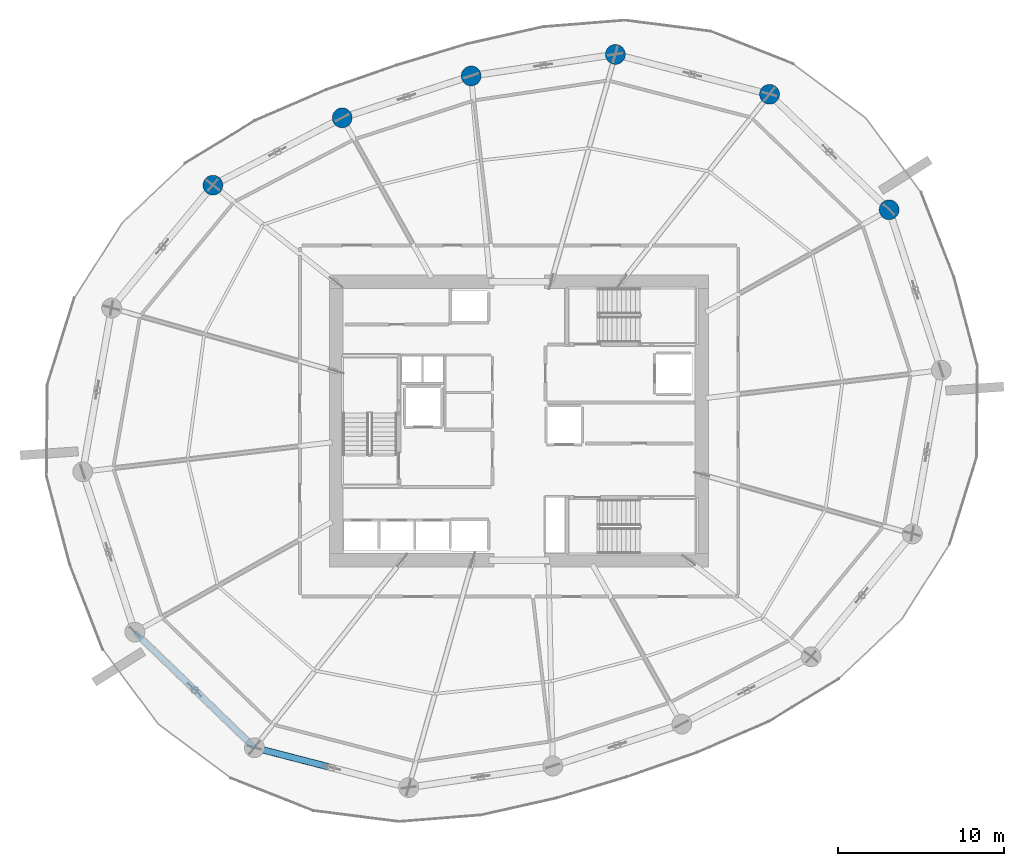
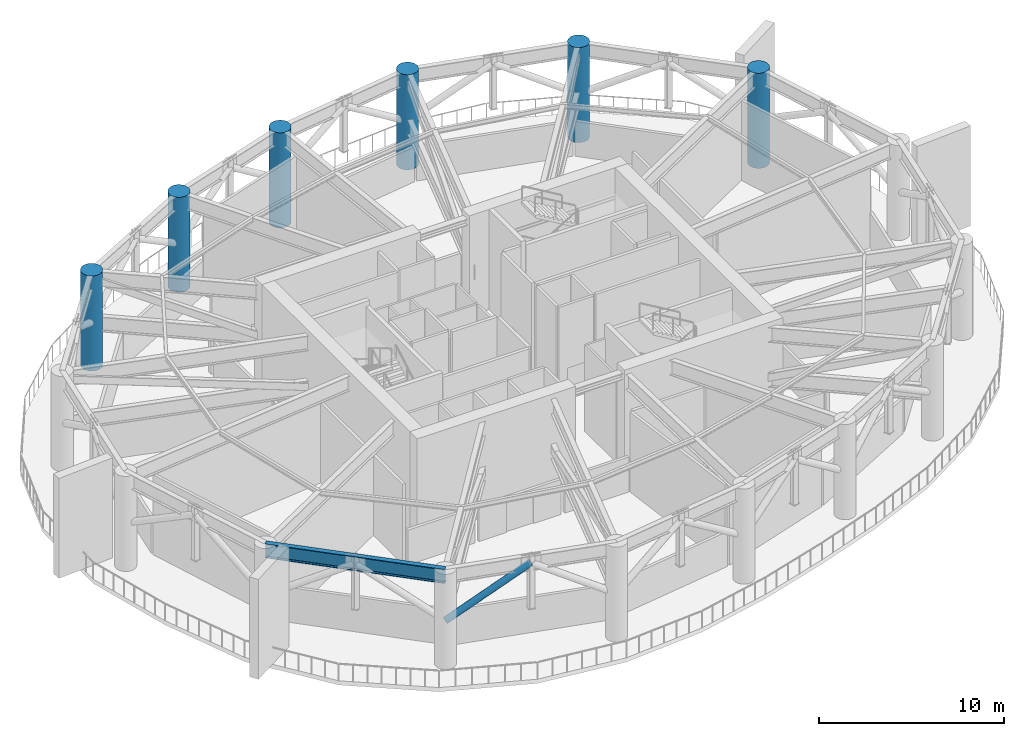
# One storey, part 4 of 19: 6 columns, 1 beam, 1 member.
"""IFC4 building model written with IfcOpenShell, lengths in metres."""

from ifc_helpers import new_model, si_unit, direction, frame, origin, origin_2d, place, context, subcontext, project, spatial, circle, hollow_circle, i_section, extrude, material, material_profile, profile_set, type_object, element, save


model = new_model("IFC4")

# Units and contexts
model_context = context("Model", 3, precision=1e-05, world=origin(), true_north=direction((0.0, 1.0)))
body_context = subcontext(model_context, "Body", "Model", "MODEL_VIEW")
ifc_project = project(units=[si_unit("LENGTHUNIT", "METRE"), si_unit("AREAUNIT", "SQUARE_METRE"), si_unit("VOLUMEUNIT", "CUBIC_METRE"), si_unit("PLANEANGLEUNIT", "RADIAN"), si_unit("MASSUNIT", "GRAM", prefix="KILO")], contexts=[model_context])

# Site, building, storey
site_placement = place(None, origin())
site = spatial("IfcSite", under=ifc_project, at=site_placement, CompositionType="ELEMENT")
building_placement = place(site_placement, origin())
building = spatial("IfcBuilding", under=site, at=building_placement, Name="Kazma Halo Residences", CompositionType="ELEMENT")
storey_placement = place(building_placement, frame((0.0, 0.0, 116.39990234375)))
storey = spatial("IfcBuildingStorey", under=building, at=storey_placement, Name="L29", CompositionType="ELEMENT", Elevation=116.39990234375)

# Columns
ifc_material_1 = material(Name="Concrete C80/95", Category="concrete")
ifc_material_profile_1 = material_profile(ifc_material_1, circle(Radius=0.60009765625, at=origin_2d()), Name="CIRC1200")
ifc_profile_set_1 = profile_set([ifc_material_profile_1], Name="Concrete C80/95")
column_type = type_object("IfcColumnType", Name="COL-PERIM-1200", PredefinedType="COLUMN", material=ifc_profile_set_1)
for number, where, z_axis, x_axis, name in (
    (1, (70.7529296875, 54.7421875, 0.0), (0.0, 0.0, 1.0), (1.0, 0.0, 0.0), "L29 perimeter ring column P01"),
    (2, (63.537841796875, 61.709716796875, 0.0), (0.0, 0.0, 1.0), (1.0, 0.0, 0.0), "L29 perimeter ring column P02"),
    (3, (54.2373046875, 64.11572265625, 0.0), (0.0, 0.0, 1.0), (1.0, 0.0, 0.0), "L29 perimeter ring column P03"),
    (4, (45.5361328125, 62.816650390625, 0.0), (0.0, 0.0, 1.0), (1.0, 0.0, 0.0), "L29 perimeter ring column P04"),
    (5, (37.757568359375, 60.2890625, 0.0), (0.0, 0.0, 1.0), (1.0, 0.0, 0.0), "L29 perimeter ring column P05"),
    (6, (29.95458984375, 56.225830078125, 0.0), (0.0, 0.0, 1.0), (1.0, 0.0, 0.0), "L29 perimeter ring column P06"),
):
    element("IfcColumn", number, at=place(storey_placement, frame(where, z_axis=z_axis, x_axis=x_axis)), inside=storey, type_object=column_type, Name=name, PredefinedType="COLUMN", context=body_context, shape_type="SweptSolid", body=[
        extrude(circle(Radius=0.60009765625, at=origin_2d()), origin(), (0.0, 0.0, 1.0), 6.280029296875),
    ])

# Beam
ifc_material_2 = material(Name="Steel S355", Category="steel")
ifc_material_profile_2 = material_profile(ifc_material_2, i_section(OverallWidth=0.30908203125, OverallDepth=0.931884765625, WebThickness=0.02099609375, FlangeThickness=0.034423828125, FilletRadius=0.02392578125, at=origin_2d()), Name="W920x313")
ifc_profile_set_2 = profile_set([ifc_material_profile_2], Name="Steel S355")
beam_type = type_object("IfcBeamType", Name="BM-BELT-W920A", PredefinedType="BEAM", material=ifc_profile_set_2)
beam_placement = place(storey_placement, frame((25.2470703125, 29.2578125, 5.814208984375), z_axis=(0.71933980474, -0.694658365901, 0.0), x_axis=(0.694658365901, 0.71933980474, 0.0)))
element("IfcBeam", 7, at=beam_placement, inside=storey, type_object=beam_type, Name="L29 perimeter ring beam 09", PredefinedType="BEAM", context=body_context, shape_type="SweptSolid", body=[
    extrude(i_section(OverallWidth=0.30908203125, OverallDepth=0.931884765625, WebThickness=0.02099609375, FlangeThickness=0.034423828125, FilletRadius=0.02392578125, at=origin_2d()), origin(), (0.0, 0.0, 1.0), 10.0302734375),
])

# Member
ifc_material_profile_3 = material_profile(ifc_material_2, hollow_circle(Radius=0.203125, WallThickness=0.01611328125, at=origin_2d()), Name="CHS406.4x16")
ifc_profile_set_3 = profile_set([ifc_material_profile_3], Name="Steel S355")
member_type = type_object("IfcMemberType", Name="MBR-WIND-CHS406", PredefinedType="BRACE", material=ifc_profile_set_3)
member_placement = place(storey_placement, frame((32.462158203125, 22.290283203125, 2.820068359375), z_axis=(0.825741439959, -0.213631552715, 0.522027426501), x_axis=(0.250468243015, 0.968124815941, 0.0)))
element("IfcMember", 8, at=member_placement, inside=storey, type_object=member_type, Name="L29 belt-truss chevron diagonal 10A", PredefinedType="BRACE", context=body_context, shape_type="SweptSolid", body=[
    extrude(hollow_circle(Radius=0.203125, WallThickness=0.01611328125, at=origin_2d()), origin(), (0.0, 0.0, 1.0), 5.6318359375),
])

save(model, "model.ifc")
